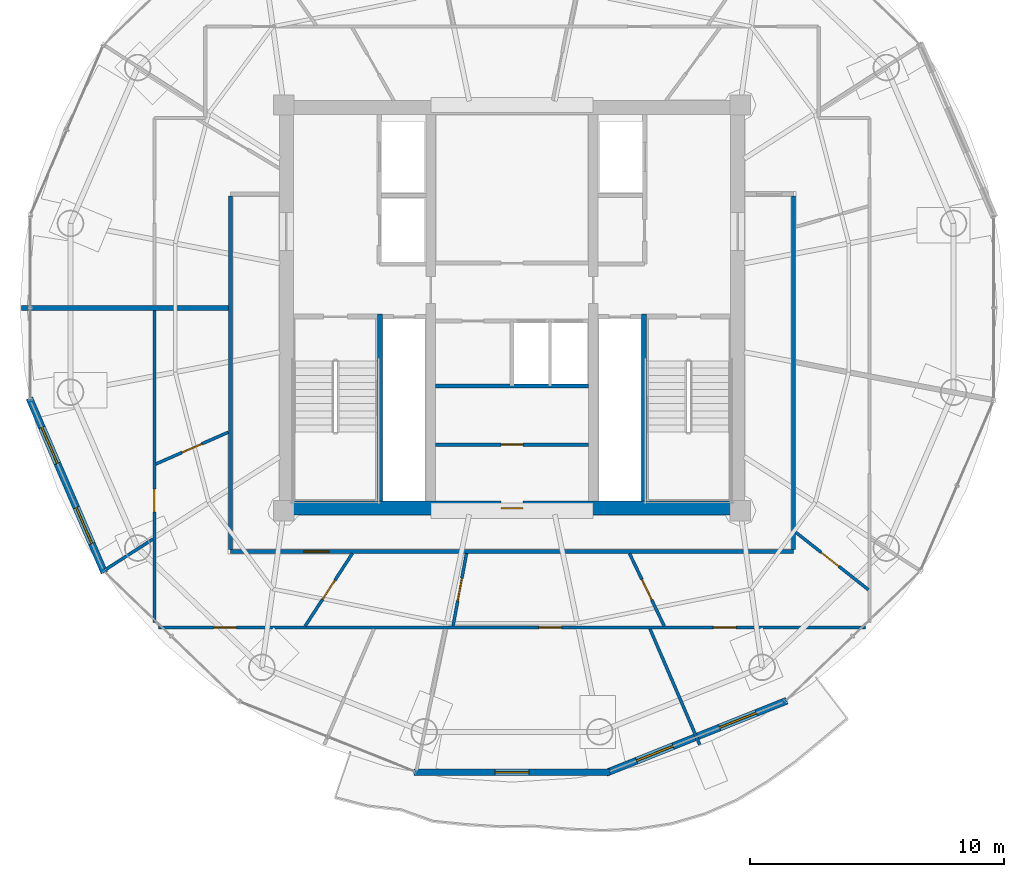
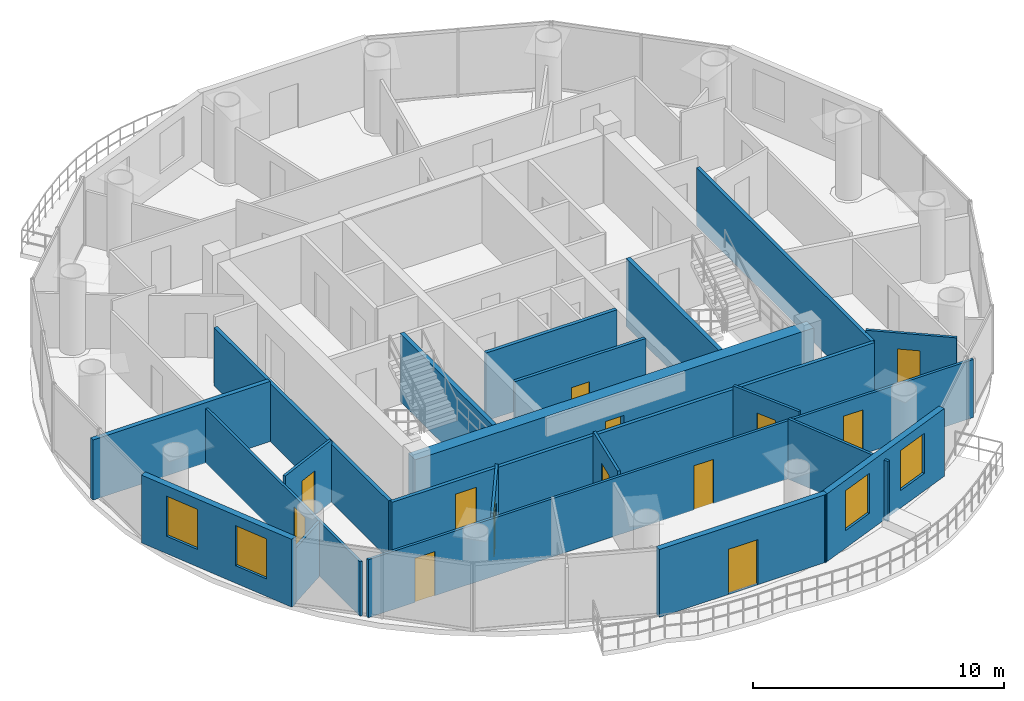
# One storey, part 17 of 23: 21 walls, 13 doors, 4 windows, 17 openings.
"""IFC4 building model written with IfcOpenShell, lengths in metres."""

from ifc_helpers import new_model, si_unit, direction, frame, frame_2d, origin, place, context, subcontext, project, spatial, rectangle, extrude, source, transform, mapped, material, layer, layer_set, type_object, element, fill, save


model = new_model("IFC4")

# Units and contexts
model_context = context("Model", 3, precision=1e-05, world=origin(), true_north=direction((-0.2419218956, 0.970295726276)))
body_context = subcontext(model_context, "Body", "Model", "MODEL_VIEW")
ifc_project = project(units=[si_unit("LENGTHUNIT", "METRE"), si_unit("AREAUNIT", "SQUARE_METRE"), si_unit("VOLUMEUNIT", "CUBIC_METRE"), si_unit("PLANEANGLEUNIT", "RADIAN"), si_unit("MASSUNIT", "GRAM", prefix="KILO")], contexts=[model_context])

# Site, building, storey
site_placement = place(None, origin())
site = spatial("IfcSite", under=ifc_project, at=site_placement, CompositionType="ELEMENT")
building_placement = place(site_placement, origin())
building = spatial("IfcBuilding", under=site, at=building_placement, Name="Cobrevalo Terracotta Tower", CompositionType="ELEMENT")
storey_placement = place(building_placement, frame((0.0, 0.0, 296.949951171875)))
storey = spatial("IfcBuildingStorey", under=building, at=storey_placement, Name="L78", CompositionType="ELEMENT", Elevation=296.949951171875)

# Wall, opening, door
ifc_material_1 = material(Name="Concrete C50", Category="concrete")
ifc_layer_1 = layer(ifc_material_1, 0.550048828125)
ifc_layer_set_1 = layer_set([ifc_layer_1], Name="Concrete C50")
wall_type_1 = type_object("IfcWallType", Name="Core shear wall 550 mm Concrete C50", PredefinedType="SHEAR", material=ifc_layer_set_1)
wall_1_placement = place(storey_placement, frame((28.824951171875, 18.89990234375, 0.0), z_axis=(0.0, 0.0, 1.0), x_axis=(1.0, 0.0, 0.0)))
wall_1 = element("IfcWall", 1, at=wall_1_placement, inside=storey, type_object=wall_type_1, Name="L78 south core shear wall", PredefinedType="SHEAR", context=body_context, shape_type="SweptSolid", body=[
    extrude(rectangle(XDim=18.35009765625, YDim=0.550048828125, at=frame_2d((9.175048828125, 0.0))), origin(), (0.0, 0.0, 1.0), 3.300048828125),
])
opening_1_placement = place(wall_1_placement, frame((8.75, 0.0, 0.0)))
opening_1 = element("IfcOpeningElement", 2, at=opening_1_placement, cuts=wall_1, Name="Opening ID-22", PredefinedType="OPENING", context=body_context, shape_type="SweptSolid", body=[
    extrude(rectangle(XDim=0.85009765625, YDim=2.10009765625, at=frame_2d((0.425048828125, 1.050048828125))), frame((0.0, 0.28515625, 0.0), z_axis=(0.0, -1.0, 0.0), x_axis=(1.0, 0.0, 0.0)), (0.0, 0.0, 1.0), 0.570068359375),
])
ifc_material_2 = material(Name="Powder-coated steel", Category="steel")
door_type_1 = type_object("IfcDoorType", Name="Riser shaft & meter closet fire access door 850x2100 EI 60", OperationType="NOTDEFINED", PredefinedType="DOOR", material=ifc_material_2)
shared_shape_1 = source(origin(), body_context, "Body", "SweptSolid", [
    extrude(rectangle(XDim=0.85009765625, YDim=2.10009765625, at=frame_2d((0.425048828125, 1.050048828125))), frame((0.0, 0.02490234375, 0.0), z_axis=(0.0, -1.0, 0.0), x_axis=(1.0, 0.0, 0.0)), (0.0, 0.0, 1.0), 0.050048828125),
])
door_1_placement = place(opening_1_placement, origin())
door_1 = element("IfcDoor", 3, at=door_1_placement, inside=storey, type_object=door_type_1, Name="L78 core south plant door Smoke Extract Fan Plant", OperationType="SINGLE_SWING_RIGHT", OverallHeight=2.10009765625, OverallWidth=0.85009765625, PredefinedType="DOOR", context=body_context, shape_type="MappedRepresentation", body=[
    mapped(shared_shape_1, transform((0.0, 0.0, 0.0), scale=1.0)),
])
fill(opening_1, door_1)

# Wall
ifc_material_3 = material(Name="Gypsum board on steel stud", Category="steel")
ifc_layer_2 = layer(ifc_material_3, 0.159912109375)
ifc_layer_set_2 = layer_set([ifc_layer_2], Name="Gypsum board on steel stud")
wall_type_2 = type_object("IfcWallType", Name="Fire-rated corridor acoustic partition wall 160 mm", PredefinedType="PARTITIONING", material=ifc_layer_set_2)
wall_2_placement = place(storey_placement, frame((34.989990234375, 23.719970703125, 0.0), z_axis=(0.0, 0.0, 1.0), x_axis=(1.0, 0.0, 0.0)))
element("IfcWall", 4, at=wall_2_placement, inside=storey, type_object=wall_type_2, Name="L78 interior partition IW-L78-MB-S", PredefinedType="PARTITIONING", context=body_context, shape_type="SweptSolid", body=[
    extrude(rectangle(XDim=6.02001953125, YDim=0.159912109375, at=frame_2d((3.010009765625, 0.0))), origin(), (0.0, 0.0, 1.0), 3.300048828125),
])

# Wall, opening, door
wall_3_placement = place(storey_placement, frame((26.89501953125, 17.195068359375, 0.0), z_axis=(0.0, 0.0, 1.0), x_axis=(1.0, 0.0, 0.0)))
wall_3 = element("IfcWall", 5, at=wall_3_placement, inside=storey, type_object=wall_type_2, Name="L78 interior partition IW-L78-COR-S", PredefinedType="PARTITIONING", context=body_context, shape_type="SweptSolid", body=[
    extrude(rectangle(XDim=22.2099609375, YDim=0.159912109375, at=frame_2d((11.10498046875, 0.0))), origin(), (0.0, 0.0, 1.0), 2.824951171875),
])
opening_2_placement = place(wall_3_placement, frame((2.90234375, 0.0, 0.0)))
opening_2 = element("IfcOpeningElement", 6, at=opening_2_placement, cuts=wall_3, Name="Opening ID-05", PredefinedType="OPENING", context=body_context, shape_type="SweptSolid", body=[
    extrude(rectangle(XDim=0.97998046875, YDim=2.199951171875, at=frame_2d((0.489990234375, 1.10009765625))), frame((0.0, 0.08984375, 0.0), z_axis=(0.0, -1.0, 0.0), x_axis=(1.0, 0.0, 0.0)), (0.0, 0.0, 1.0), 0.179931640625),
])
ifc_material_4 = material(Name="Solid hardwood timber", Category="wood")
door_type_2 = type_object("IfcDoorType", Name="Residence entrance fire-rated acoustic timber door 980x2200 EI 60", OperationType="NOTDEFINED", PredefinedType="DOOR", material=ifc_material_4)
shared_shape_2 = source(origin(), body_context, "Body", "SweptSolid", [
    extrude(rectangle(XDim=0.97998046875, YDim=2.199951171875, at=frame_2d((0.489990234375, 1.10009765625))), frame((0.0, 0.02490234375, 0.0), z_axis=(0.0, -1.0, 0.0), x_axis=(1.0, 0.0, 0.0)), (0.0, 0.0, 1.0), 0.050048828125),
])
door_2_placement = place(opening_2_placement, origin())
door_2 = element("IfcDoor", 7, at=door_2_placement, inside=storey, type_object=door_type_2, Name="Flat L78B fire-rated apartment entrance door", OperationType="SINGLE_SWING_LEFT", OverallHeight=2.199951171875, OverallWidth=0.97998046875, PredefinedType="DOOR", context=body_context, shape_type="MappedRepresentation", body=[
    mapped(shared_shape_2, transform((0.0, 0.0, 0.0), scale=1.0)),
])
fill(opening_2, door_2)

# Walls
for number, where, z_axis, x_axis, name in (
    (8, (26.89501953125, 17.27490234375, 0.0), (0.0, 0.0, 1.0), (0.0, 1.0, 0.0), "L78 interior partition IW-L78-COR-W"),
    (9, (49.10498046875, 17.27490234375, 0.0), (0.0, 0.0, 1.0), (0.0, 1.0, 0.0), "L78 interior partition IW-L78-COR-E"),
):
    element("IfcWall", number, at=place(storey_placement, frame(where, z_axis=z_axis, x_axis=x_axis)), inside=storey, type_object=wall_type_2, Name=name, PredefinedType="PARTITIONING", context=body_context, shape_type="SweptSolid", body=[
        extrude(rectangle(XDim=13.925048828125, YDim=0.159912109375, at=frame_2d((6.96240234375, 0.0))), origin(), (0.0, 0.0, 1.0), 2.824951171875),
    ])
ifc_material_5 = material(Name="Autoclaved aerated concrete block", Category="concrete")
ifc_layer_3 = layer(ifc_material_5, 0.199951171875)
ifc_layer_set_3 = layer_set([ifc_layer_3], Name="Autoclaved aerated concrete block")
wall_type_3 = type_object("IfcWallType", Name="Fire-rated stair, shaft & demising masonry wall 200 mm", PredefinedType="PARTITIONING", material=ifc_layer_set_3)
wall_4_placement = place(storey_placement, frame((26.81494140625, 26.800048828125, 0.0), z_axis=(0.0, 0.0, 1.0), x_axis=(-1.0, 0.0, 0.0)))
element("IfcWall", 10, at=wall_4_placement, inside=storey, type_object=wall_type_3, Name="L78 interior partition IW-L78-DEM-2", PredefinedType="PARTITIONING", context=body_context, shape_type="SweptSolid", body=[
    extrude(rectangle(XDim=8.155029296875, YDim=0.199951171875, at=frame_2d((4.07763671875, 0.0))), origin(), (0.0, 0.0, 1.0), 2.93115234375),
])

# Wall, openings, windows
ifc_layer_4 = layer(ifc_material_5, 0.280029296875)
ifc_layer_set_4 = layer_set([ifc_layer_4], Name="Autoclaved aerated concrete block")
wall_type_4 = type_object("IfcWallType", Name="Insulated tower spandrel & pier wall 280 mm with terracotta rainscreen", PredefinedType="SOLIDWALL", material=ifc_layer_set_4)
wall_5_placement = place(storey_placement, frame((18.970703125, 23.231201171875, 0.0), z_axis=(0.0, 0.0, 1.0), x_axis=(0.394816612978, -0.918759948037, 0.0)))
wall_5 = element("IfcWall", 11, at=wall_5_placement, inside=storey, type_object=wall_type_4, Name="L78 terracotta rainscreen pier wall S09", PredefinedType="SOLIDWALL", context=body_context, shape_type="SweptSolid", body=[
    extrude(rectangle(XDim=7.4853515625, YDim=0.280029296875, at=frame_2d((3.74267578125, 0.0))), origin(), (0.0, 0.0, 1.0), 3.300048828125),
])
opening_3_placement = place(wall_5_placement, frame((1.24609375, 0.0, 0.85009765625)))
opening_3 = element("IfcOpeningElement", 12, at=opening_3_placement, cuts=wall_5, Name="Opening WN-12", PredefinedType="OPENING", context=body_context, shape_type="SweptSolid", body=[
    extrude(rectangle(XDim=1.550048828125, YDim=1.949951171875, at=frame_2d((0.77490234375, 0.97509765625))), frame((0.0, 0.14990234375, 0.0), z_axis=(0.0, -1.0, 0.0), x_axis=(1.0, 0.0, 0.0)), (0.0, 0.0, 1.0), 0.300048828125),
])
opening_4_placement = place(wall_5_placement, frame((4.689208984375, 0.0, 0.85009765625)))
opening_4 = element("IfcOpeningElement", 13, at=opening_4_placement, cuts=wall_5, Name="Opening WN-12", PredefinedType="OPENING", context=body_context, shape_type="SweptSolid", body=[
    extrude(rectangle(XDim=1.550048828125, YDim=1.949951171875, at=frame_2d((0.77490234375, 0.97509765625))), frame((0.0, 0.14990234375, 0.0), z_axis=(0.0, -1.0, 0.0), x_axis=(1.0, 0.0, 0.0)), (0.0, 0.0, 1.0), 0.300048828125),
])
ifc_material_6 = material(Name="Solar-control low-E double glazing", Category="glass")
window_type = type_object("IfcWindowType", Name="Solar-control low-E aluminium window 1550x1950", PartitioningType="SINGLE_PANEL", PredefinedType="WINDOW", material=ifc_material_6)
shared_shape_3 = source(origin(), body_context, "Body", "SweptSolid", [
    extrude(rectangle(XDim=1.550048828125, YDim=1.949951171875, at=frame_2d((0.77490234375, 0.97509765625))), frame((0.0, 0.030029296875, 0.0), z_axis=(0.0, -1.0, 0.0), x_axis=(1.0, 0.0, 0.0)), (0.0, 0.0, 1.0), 0.06005859375),
])
window_1_placement = place(opening_3_placement, origin())
window_1 = element("IfcWindow", 14, at=window_1_placement, inside=storey, type_object=window_type, Name="L78 suite window S09A", OverallHeight=1.949951171875, OverallWidth=1.550048828125, PartitioningType="SINGLE_PANEL", PredefinedType="WINDOW", context=body_context, shape_type="MappedRepresentation", body=[
    mapped(shared_shape_3, transform((0.0, 0.0, 0.0), scale=1.0)),
])
fill(opening_3, window_1)
window_2_placement = place(opening_4_placement, origin())
window_2 = element("IfcWindow", 15, at=window_2_placement, inside=storey, type_object=window_type, Name="L78 suite window S09B", OverallHeight=1.949951171875, OverallWidth=1.550048828125, PartitioningType="SINGLE_PANEL", PredefinedType="WINDOW", context=body_context, shape_type="MappedRepresentation", body=[
    mapped(shared_shape_3, transform((0.0, 0.0, 0.0), scale=1.0)),
])
fill(opening_4, window_2)

wall_6_placement = place(storey_placement, frame((41.70458984375, 8.458984375, 0.0), z_axis=(0.0, 0.0, 1.0), x_axis=(0.92871332341, 0.370798547626, 0.0)))
wall_6 = element("IfcWall", 16, at=wall_6_placement, inside=storey, type_object=wall_type_4, Name="L78 terracotta rainscreen pier wall S13", PredefinedType="SOLIDWALL", context=body_context, shape_type="SweptSolid", body=[
    extrude(rectangle(XDim=7.678466796875, YDim=0.280029296875, at=frame_2d((3.83935546875, 0.0))), origin(), (0.0, 0.0, 1.0), 3.300048828125),
])
opening_5_placement = place(wall_6_placement, frame((1.298095703125, 0.0, 0.85009765625)))
opening_5 = element("IfcOpeningElement", 17, at=opening_5_placement, cuts=wall_6, Name="Opening WN-12", PredefinedType="OPENING", context=body_context, shape_type="SweptSolid", body=[
    extrude(rectangle(XDim=1.550048828125, YDim=1.949951171875, at=frame_2d((0.77490234375, 0.97509765625))), frame((0.0, 0.14990234375, 0.0), z_axis=(0.0, -1.0, 0.0), x_axis=(1.0, 0.0, 0.0)), (0.0, 0.0, 1.0), 0.300048828125),
])
opening_6_placement = place(wall_6_placement, frame((4.830078125, 0.0, 0.85009765625)))
opening_6 = element("IfcOpeningElement", 18, at=opening_6_placement, cuts=wall_6, Name="Opening WN-12", PredefinedType="OPENING", context=body_context, shape_type="SweptSolid", body=[
    extrude(rectangle(XDim=1.550048828125, YDim=1.949951171875, at=frame_2d((0.77490234375, 0.97509765625))), frame((0.0, 0.14990234375, 0.0), z_axis=(0.0, -1.0, 0.0), x_axis=(1.0, 0.0, 0.0)), (0.0, 0.0, 1.0), 0.300048828125),
])
window_3_placement = place(opening_5_placement, origin())
window_3 = element("IfcWindow", 19, at=window_3_placement, inside=storey, type_object=window_type, Name="L78 suite window S13A", OverallHeight=1.949951171875, OverallWidth=1.550048828125, PartitioningType="SINGLE_PANEL", PredefinedType="WINDOW", context=body_context, shape_type="MappedRepresentation", body=[
    mapped(shared_shape_3, transform((0.0, 0.0, 0.0), scale=1.0)),
])
fill(opening_5, window_3)
window_4_placement = place(opening_6_placement, origin())
window_4 = element("IfcWindow", 20, at=window_4_placement, inside=storey, type_object=window_type, Name="L78 suite window S13B", OverallHeight=1.949951171875, OverallWidth=1.550048828125, PartitioningType="SINGLE_PANEL", PredefinedType="WINDOW", context=body_context, shape_type="MappedRepresentation", body=[
    mapped(shared_shape_3, transform((0.0, 0.0, 0.0), scale=1.0)),
])
fill(opening_6, window_4)

# Wall, opening, door
ifc_layer_5 = layer(ifc_material_5, 0.139892578125)
ifc_layer_set_5 = layer_set([ifc_layer_5], Name="Autoclaved aerated concrete block")
wall_type_5 = type_object("IfcWallType", Name="Moisture-resistant wet-room & core service partition 140 mm", PredefinedType="PARTITIONING", material=ifc_layer_set_5)
wall_7_placement = place(storey_placement, frame((34.989990234375, 21.407470703125, 0.0), z_axis=(0.0, 0.0, 1.0), x_axis=(1.0, 0.0, 0.0)))
wall_7 = element("IfcWall", 21, at=wall_7_placement, inside=storey, type_object=wall_type_5, Name="L78 interior partition IW-L78-KVS-H", PredefinedType="PARTITIONING", context=body_context, shape_type="SweptSolid", body=[
    extrude(rectangle(XDim=6.02001953125, YDim=0.139892578125, at=frame_2d((3.010009765625, 0.0))), origin(), (0.0, 0.0, 1.0), 3.300048828125),
])
opening_7_placement = place(wall_7_placement, frame((2.5849609375, 0.0, 0.0)))
opening_7 = element("IfcOpeningElement", 22, at=opening_7_placement, cuts=wall_7, Name="Opening ID-22", PredefinedType="OPENING", context=body_context, shape_type="SweptSolid", body=[
    extrude(rectangle(XDim=0.85009765625, YDim=2.10009765625, at=frame_2d((0.425048828125, 1.050048828125))), frame((0.0, 0.080078125, 0.0), z_axis=(0.0, -1.0, 0.0), x_axis=(1.0, 0.0, 0.0)), (0.0, 0.0, 1.0), 0.159912109375),
])
door_3_placement = place(opening_7_placement, origin())
door_3 = element("IfcDoor", 23, at=door_3_placement, inside=storey, type_object=door_type_1, Name="L78 core manifold inner door", OperationType="SINGLE_SWING_LEFT", OverallHeight=2.10009765625, OverallWidth=0.85009765625, PredefinedType="DOOR", context=body_context, shape_type="MappedRepresentation", body=[
    mapped(shared_shape_1, transform((0.0, 0.0, 0.0), scale=1.0)),
])
fill(opening_7, door_3)

ifc_layer_6 = layer(ifc_material_5, 0.260009765625)
ifc_layer_set_6 = layer_set([ifc_layer_6], Name="Autoclaved aerated concrete block")
wall_type_6 = type_object("IfcWallType", Name="Recessed balcony loggia insulated exterior wall 260 mm", PredefinedType="SOLIDWALL", material=ifc_layer_set_6)
wall_8_placement = place(storey_placement, frame((34.14111328125, 8.48876953125, 0.0), z_axis=(0.0, 0.0, 1.0), x_axis=(1.0, 0.0, 0.0)))
wall_8 = element("IfcWall", 24, at=wall_8_placement, inside=storey, type_object=wall_type_6, Name="L78 balcony loggia wall S12", PredefinedType="SOLIDWALL", context=body_context, shape_type="SweptSolid", body=[
    extrude(rectangle(XDim=7.7177734375, YDim=0.260009765625, at=frame_2d((3.85888671875, 0.0))), origin(), (0.0, 0.0, 1.0), 3.300048828125),
])
opening_8_placement = place(wall_8_placement, frame((3.183837890625, 0.0, 0.0)))
opening_8 = element("IfcOpeningElement", 25, at=opening_8_placement, cuts=wall_8, Name="Opening ED-05", PredefinedType="OPENING", context=body_context, shape_type="SweptSolid", body=[
    extrude(rectangle(XDim=1.35009765625, YDim=2.199951171875, at=frame_2d((0.675048828125, 1.10009765625))), frame((0.0, 0.14013671875, 0.0), z_axis=(0.0, -1.0, 0.0), x_axis=(1.0, 0.0, 0.0)), (0.0, 0.0, 1.0), 0.280029296875),
])
ifc_material_7 = material(Name="Anodized aluminium and laminated glass", Category="aluminium")
door_type_3 = type_object("IfcDoorType", Name="Suite balcony acoustic glazed terrace door 1350x2200", OperationType="NOTDEFINED", PredefinedType="DOOR", material=ifc_material_7)
shared_shape_4 = source(origin(), body_context, "Body", "SweptSolid", [
    extrude(rectangle(XDim=1.35009765625, YDim=2.199951171875, at=frame_2d((0.675048828125, 1.10009765625))), frame((0.0, 0.02490234375, 0.0), z_axis=(0.0, -1.0, 0.0), x_axis=(1.0, 0.0, 0.0)), (0.0, 0.0, 1.0), 0.050048828125),
])
door_4_placement = place(opening_8_placement, frame((1.35009765625, 0.0, 0.0), z_axis=(0.0, 0.0, 1.0), x_axis=(-1.0, 0.0, 0.0)))
door_4 = element("IfcDoor", 26, at=door_4_placement, inside=storey, type_object=door_type_3, Name="L78 glazed balcony terrace door 2", OperationType="SINGLE_SWING_RIGHT", OverallHeight=2.199951171875, OverallWidth=1.35009765625, PredefinedType="DOOR", context=body_context, shape_type="MappedRepresentation", body=[
    mapped(shared_shape_4, transform((0.0, 0.0, 0.0), scale=1.0)),
])
fill(opening_8, door_4)

# Wall, openings, doors
ifc_layer_7 = layer(ifc_material_3, 0.1201171875)
ifc_layer_set_7 = layer_set([ifc_layer_7], Name="Gypsum board on steel stud")
wall_type_7 = type_object("IfcWallType", Name="Residential internal acoustic stud partition 120 mm", PredefinedType="PARTITIONING", material=ifc_layer_set_7)
wall_9_placement = place(storey_placement, frame((51.92919921875, 14.195068359375, 0.0), z_axis=(0.0, 0.0, 1.0), x_axis=(-1.0, 0.0, 0.0)))
wall_9 = element("IfcWall", 27, at=wall_9_placement, inside=storey, type_object=wall_type_7, Name="L78 interior partition IW-L78-U2-RING0_0", PredefinedType="PARTITIONING", context=body_context, shape_type="SweptSolid", body=[
    extrude(rectangle(XDim=27.8583984375, YDim=0.1201171875, at=frame_2d((13.92919921875, 0.0))), origin(), (0.0, 0.0, 1.0), 2.824951171875),
])
opening_9_placement = place(wall_9_placement, frame((24.796630859375, 0.0, 0.0)))
opening_9 = element("IfcOpeningElement", 28, at=opening_9_placement, cuts=wall_9, Name="Opening ID-12", PredefinedType="OPENING", context=body_context, shape_type="SweptSolid", body=[
    extrude(rectangle(XDim=0.89990234375, YDim=2.14990234375, at=frame_2d((0.449951171875, 1.074951171875))), frame((0.0, 0.070068359375, 0.0), z_axis=(0.0, -1.0, 0.0), x_axis=(1.0, 0.0, 0.0)), (0.0, 0.0, 1.0), 0.14013671875),
])
opening_10_placement = place(wall_9_placement, frame((11.9677734375, 0.0, 0.0)))
opening_10 = element("IfcOpeningElement", 29, at=opening_10_placement, cuts=wall_9, Name="Opening ID-12", PredefinedType="OPENING", context=body_context, shape_type="SweptSolid", body=[
    extrude(rectangle(XDim=0.89990234375, YDim=2.14990234375, at=frame_2d((0.449951171875, 1.074951171875))), frame((0.0, 0.070068359375, 0.0), z_axis=(0.0, -1.0, 0.0), x_axis=(1.0, 0.0, 0.0)), (0.0, 0.0, 1.0), 0.14013671875),
])
opening_11_placement = place(wall_9_placement, frame((5.09228515625, 0.0, 0.0)))
opening_11 = element("IfcOpeningElement", 30, at=opening_11_placement, cuts=wall_9, Name="Opening ID-12", PredefinedType="OPENING", context=body_context, shape_type="SweptSolid", body=[
    extrude(rectangle(XDim=0.89990234375, YDim=2.14990234375, at=frame_2d((0.449951171875, 1.074951171875))), frame((0.0, 0.070068359375, 0.0), z_axis=(0.0, -1.0, 0.0), x_axis=(1.0, 0.0, 0.0)), (0.0, 0.0, 1.0), 0.14013671875),
])
ifc_material_8 = material(Name="Engineered timber", Category="wood")
door_type_4 = type_object("IfcDoorType", Name="Internal residence & suite timber door 900x2150", OperationType="NOTDEFINED", PredefinedType="DOOR", material=ifc_material_8)
shared_shape_5 = source(origin(), body_context, "Body", "SweptSolid", [
    extrude(rectangle(XDim=0.89990234375, YDim=2.14990234375, at=frame_2d((0.449951171875, 1.074951171875))), frame((0.0, 0.02490234375, 0.0), z_axis=(0.0, -1.0, 0.0), x_axis=(1.0, 0.0, 0.0)), (0.0, 0.0, 1.0), 0.050048828125),
])
door_5_placement = place(opening_9_placement, origin())
door_5 = element("IfcDoor", 31, at=door_5_placement, inside=storey, type_object=door_type_4, Name="Flat L78B Master Bedroom internal door", OperationType="SINGLE_SWING_RIGHT", OverallHeight=2.14990234375, OverallWidth=0.89990234375, PredefinedType="DOOR", context=body_context, shape_type="MappedRepresentation", body=[
    mapped(shared_shape_5, transform((0.0, 0.0, 0.0), scale=1.0)),
])
fill(opening_9, door_5)
door_6_placement = place(opening_10_placement, origin())
door_6 = element("IfcDoor", 32, at=door_6_placement, inside=storey, type_object=door_type_4, Name="Flat L78B Principal Guest Bedroom internal door", OperationType="SINGLE_SWING_RIGHT", OverallHeight=2.14990234375, OverallWidth=0.89990234375, PredefinedType="DOOR", context=body_context, shape_type="MappedRepresentation", body=[
    mapped(shared_shape_5, transform((0.0, 0.0, 0.0), scale=1.0)),
])
fill(opening_10, door_6)
door_7_placement = place(opening_11_placement, origin())
door_7 = element("IfcDoor", 33, at=door_7_placement, inside=storey, type_object=door_type_4, Name="Flat L78B South Bedroom internal door", OperationType="SINGLE_SWING_LEFT", OverallHeight=2.14990234375, OverallWidth=0.89990234375, PredefinedType="DOOR", context=body_context, shape_type="MappedRepresentation", body=[
    mapped(shared_shape_5, transform((0.0, 0.0, 0.0), scale=1.0)),
])
fill(opening_11, door_7)

# Wall, opening, door
wall_10_placement = place(storey_placement, frame((23.89501953125, 14.38818359375, 0.0), z_axis=(0.0, 0.0, 1.0), x_axis=(0.0, 1.0, 0.0)))
wall_10 = element("IfcWall", 34, at=wall_10_placement, inside=storey, type_object=wall_type_7, Name="L78 interior partition IW-L78-U2-RING1_0", PredefinedType="PARTITIONING", context=body_context, shape_type="SweptSolid", body=[
    extrude(rectangle(XDim=12.309814453125, YDim=0.1201171875, at=frame_2d((6.15478515625, 0.0))), origin(), (0.0, 0.0, 1.0), 2.650146484375),
])
opening_12_placement = place(wall_10_placement, frame((4.366943359375, 0.0, 0.0)))
opening_12 = element("IfcOpeningElement", 35, at=opening_12_placement, cuts=wall_10, Name="Opening ID-12", PredefinedType="OPENING", context=body_context, shape_type="SweptSolid", body=[
    extrude(rectangle(XDim=0.89990234375, YDim=2.14990234375, at=frame_2d((0.449951171875, 1.074951171875))), frame((0.0, 0.070068359375, 0.0), z_axis=(0.0, -1.0, 0.0), x_axis=(1.0, 0.0, 0.0)), (0.0, 0.0, 1.0), 0.14013671875),
])
door_8_placement = place(opening_12_placement, origin())
door_8 = element("IfcDoor", 36, at=door_8_placement, inside=storey, type_object=door_type_4, Name="Flat L78B Living and Dining Room internal door", OperationType="SINGLE_SWING_LEFT", OverallHeight=2.14990234375, OverallWidth=0.89990234375, PredefinedType="DOOR", context=body_context, shape_type="MappedRepresentation", body=[
    mapped(shared_shape_5, transform((0.0, 0.0, 0.0), scale=1.0)),
])
fill(opening_12, door_8)

# Walls
wall_11_placement = place(storey_placement, frame((23.8427734375, 17.681884765625, 0.0), z_axis=(0.0, 0.0, 1.0), x_axis=(-0.840690872836, -0.541515333421, 0.0)))
element("IfcWall", 37, at=wall_11_placement, inside=storey, type_object=wall_type_7, Name="L78 interior partition IW-L78-U2-ORAD1", PredefinedType="PARTITIONING", context=body_context, shape_type="SweptSolid", body=[
    extrude(rectangle(XDim=2.24658203125, YDim=0.1201171875, at=frame_2d((1.123291015625, 0.0))), origin(), (0.0, 0.0, 1.0), 2.650146484375),
])
wall_12_placement = place(storey_placement, frame((43.441162109375, 14.137939453125, 0.0), z_axis=(0.0, 0.0, 1.0), x_axis=(0.394786072864, -0.918773071369, 0.0)))
element("IfcWall", 38, at=wall_12_placement, inside=storey, type_object=wall_type_7, Name="L78 interior partition IW-L78-U2-ORAD4", PredefinedType="PARTITIONING", context=body_context, shape_type="SweptSolid", body=[
    extrude(rectangle(XDim=4.962158203125, YDim=0.1201171875, at=frame_2d((2.48095703125, 0.0))), origin(), (0.0, 0.0, 1.0), 2.93115234375),
])

# Wall, opening, door
wall_13_placement = place(storey_placement, frame((26.81494140625, 21.893798828125, 0.0), z_axis=(0.0, 0.0, 1.0), x_axis=(-0.915755452884, -0.401736170284, 0.0)))
wall_13 = element("IfcWall", 39, at=wall_13_placement, inside=storey, type_object=wall_type_7, Name="L78 interior partition IW-L78-U2-IRAD1", PredefinedType="PARTITIONING", context=body_context, shape_type="SweptSolid", body=[
    extrude(rectangle(XDim=3.126708984375, YDim=0.1201171875, at=frame_2d((1.5634765625, 0.0))), origin(), (0.0, 0.0, 1.0), 3.01904296875),
])
opening_13_placement = place(wall_13_placement, frame((1.13330078125, 0.0, 0.0)))
opening_13 = element("IfcOpeningElement", 40, at=opening_13_placement, cuts=wall_13, Name="Opening ID-19", PredefinedType="OPENING", context=body_context, shape_type="SweptSolid", body=[
    extrude(rectangle(XDim=0.860107421875, YDim=2.14990234375, at=frame_2d((0.43017578125, 1.074951171875))), frame((0.0, 0.070068359375, 0.0), z_axis=(0.0, -1.0, 0.0), x_axis=(1.0, 0.0, 0.0)), (0.0, 0.0, 1.0), 0.14013671875),
])
ifc_material_9 = material(Name="Moisture-sealed timber", Category="wood")
door_type_5 = type_object("IfcDoorType", Name="Suite bathroom internal timber door 860x2150", OperationType="NOTDEFINED", PredefinedType="DOOR", material=ifc_material_9)
shared_shape_6 = source(origin(), body_context, "Body", "SweptSolid", [
    extrude(rectangle(XDim=0.860107421875, YDim=2.14990234375, at=frame_2d((0.43017578125, 1.074951171875))), frame((0.0, 0.02490234375, 0.0), z_axis=(0.0, -1.0, 0.0), x_axis=(1.0, 0.0, 0.0)), (0.0, 0.0, 1.0), 0.050048828125),
])
door_9_placement = place(opening_13_placement, frame((0.860107421875, 0.0, 0.0), z_axis=(0.0, 0.0, 1.0), x_axis=(-1.0, 0.0, 0.0)))
door_9 = element("IfcDoor", 41, at=door_9_placement, inside=storey, type_object=door_type_5, Name="Flat L78B Primary Bathroom internal door", OperationType="SINGLE_SWING_RIGHT", OverallHeight=2.14990234375, OverallWidth=0.860107421875, PredefinedType="DOOR", context=body_context, shape_type="MappedRepresentation", body=[
    mapped(shared_shape_6, transform((0.0, 0.0, 0.0), scale=1.0)),
])
fill(opening_13, door_9)

wall_14_placement = place(storey_placement, frame((31.706298828125, 17.114990234375, 0.0), z_axis=(0.0, 0.0, 1.0), x_axis=(-0.544910571015, -0.838494167896, 0.0)))
wall_14 = element("IfcWall", 42, at=wall_14_placement, inside=storey, type_object=wall_type_7, Name="L78 interior partition IW-L78-U2-IRAD2", PredefinedType="PARTITIONING", context=body_context, shape_type="SweptSolid", body=[
    extrude(rectangle(XDim=3.42041015625, YDim=0.1201171875, at=frame_2d((1.710205078125, 0.0))), origin(), (0.0, 0.0, 1.0), 3.01904296875),
])
opening_14_placement = place(wall_14_placement, frame((1.26025390625, 0.0, 0.0)))
opening_14 = element("IfcOpeningElement", 43, at=opening_14_placement, cuts=wall_14, Name="Opening ID-12", PredefinedType="OPENING", context=body_context, shape_type="SweptSolid", body=[
    extrude(rectangle(XDim=0.89990234375, YDim=2.14990234375, at=frame_2d((0.449951171875, 1.074951171875))), frame((0.0, 0.070068359375, 0.0), z_axis=(0.0, -1.0, 0.0), x_axis=(1.0, 0.0, 0.0)), (0.0, 0.0, 1.0), 0.14013671875),
])
door_10_placement = place(opening_14_placement, origin())
door_10 = element("IfcDoor", 44, at=door_10_placement, inside=storey, type_object=door_type_4, Name="Flat L78B Kitchen internal door", OperationType="SINGLE_SWING_RIGHT", OverallHeight=2.14990234375, OverallWidth=0.89990234375, PredefinedType="DOOR", context=body_context, shape_type="MappedRepresentation", body=[
    mapped(shared_shape_5, transform((0.0, 0.0, 0.0), scale=1.0)),
])
fill(opening_14, door_10)

wall_15_placement = place(storey_placement, frame((36.205810546875, 17.114990234375, 0.0), z_axis=(0.0, 0.0, 1.0), x_axis=(-0.182194488266, -0.983262512479, 0.0)))
wall_15 = element("IfcWall", 45, at=wall_15_placement, inside=storey, type_object=wall_type_7, Name="L78 interior partition IW-L78-U2-IRAD3", PredefinedType="PARTITIONING", context=body_context, shape_type="SweptSolid", body=[
    extrude(rectangle(XDim=2.90771484375, YDim=0.1201171875, at=frame_2d((1.453857421875, 0.0))), origin(), (0.0, 0.0, 1.0), 3.01904296875),
])
opening_15_placement = place(wall_15_placement, frame((1.00390625, 0.0, 0.0)))
opening_15 = element("IfcOpeningElement", 46, at=opening_15_placement, cuts=wall_15, Name="Opening ID-12", PredefinedType="OPENING", context=body_context, shape_type="SweptSolid", body=[
    extrude(rectangle(XDim=0.89990234375, YDim=2.14990234375, at=frame_2d((0.449951171875, 1.074951171875))), frame((0.0, 0.070068359375, 0.0), z_axis=(0.0, -1.0, 0.0), x_axis=(1.0, 0.0, 0.0)), (0.0, 0.0, 1.0), 0.14013671875),
])
door_11_placement = place(opening_15_placement, origin())
door_11 = element("IfcDoor", 47, at=door_11_placement, inside=storey, type_object=door_type_4, Name="Flat L78B Utility Closet internal door", OperationType="SINGLE_SWING_LEFT", OverallHeight=2.14990234375, OverallWidth=0.89990234375, PredefinedType="DOOR", context=body_context, shape_type="MappedRepresentation", body=[
    mapped(shared_shape_5, transform((0.0, 0.0, 0.0), scale=1.0)),
])
fill(opening_15, door_11)

wall_16_placement = place(storey_placement, frame((42.632080078125, 17.114990234375, 0.0), z_axis=(0.0, 0.0, 1.0), x_axis=(0.431425564071, -0.902148536919, 0.0)))
wall_16 = element("IfcWall", 48, at=wall_16_placement, inside=storey, type_object=wall_type_7, Name="L78 interior partition IW-L78-U2-IRAD4", PredefinedType="PARTITIONING", context=body_context, shape_type="SweptSolid", body=[
    extrude(rectangle(XDim=3.174560546875, YDim=0.1201171875, at=frame_2d((1.58740234375, 0.0))), origin(), (0.0, 0.0, 1.0), 3.01904296875),
])
opening_16_placement = place(wall_16_placement, frame((1.137451171875, 0.0, 0.0)))
opening_16 = element("IfcOpeningElement", 49, at=opening_16_placement, cuts=wall_16, Name="Opening ID-12", PredefinedType="OPENING", context=body_context, shape_type="SweptSolid", body=[
    extrude(rectangle(XDim=0.89990234375, YDim=2.14990234375, at=frame_2d((0.449951171875, 1.074951171875))), frame((0.0, 0.070068359375, 0.0), z_axis=(0.0, -1.0, 0.0), x_axis=(1.0, 0.0, 0.0)), (0.0, 0.0, 1.0), 0.14013671875),
])
door_12_placement = place(opening_16_placement, origin())
door_12 = element("IfcDoor", 50, at=door_12_placement, inside=storey, type_object=door_type_4, Name="Flat L78B Private Library Meeting Room internal door", OperationType="SINGLE_SWING_RIGHT", OverallHeight=2.14990234375, OverallWidth=0.89990234375, PredefinedType="DOOR", context=body_context, shape_type="MappedRepresentation", body=[
    mapped(shared_shape_5, transform((0.0, 0.0, 0.0), scale=1.0)),
])
fill(opening_16, door_12)

wall_17_placement = place(storey_placement, frame((49.18505859375, 17.951904296875, 0.0), z_axis=(0.0, 0.0, 1.0), x_axis=(0.784266179732, -0.620424499297, 0.0)))
wall_17 = element("IfcWall", 51, at=wall_17_placement, inside=storey, type_object=wall_type_7, Name="L78 interior partition IW-L78-U2-IRAD5", PredefinedType="PARTITIONING", context=body_context, shape_type="SweptSolid", body=[
    extrude(rectangle(XDim=3.6611328125, YDim=0.1201171875, at=frame_2d((1.83056640625, 0.0))), origin(), (0.0, 0.0, 1.0), 2.93115234375),
])
opening_17_placement = place(wall_17_placement, frame((1.27880859375, 0.0, 0.0)))
opening_17 = element("IfcOpeningElement", 52, at=opening_17_placement, cuts=wall_17, Name="Opening ID-12", PredefinedType="OPENING", context=body_context, shape_type="SweptSolid", body=[
    extrude(rectangle(XDim=0.89990234375, YDim=2.14990234375, at=frame_2d((0.449951171875, 1.074951171875))), frame((0.0, 0.070068359375, 0.0), z_axis=(0.0, -1.0, 0.0), x_axis=(1.0, 0.0, 0.0)), (0.0, 0.0, 1.0), 0.14013671875),
])
door_13_placement = place(opening_17_placement, origin())
door_13 = element("IfcDoor", 53, at=door_13_placement, inside=storey, type_object=door_type_4, Name="Flat L78B Private Cinema Lounge internal door", OperationType="SINGLE_SWING_LEFT", OverallHeight=2.14990234375, OverallWidth=0.89990234375, PredefinedType="DOOR", context=body_context, shape_type="MappedRepresentation", body=[
    mapped(shared_shape_5, transform((0.0, 0.0, 0.0), scale=1.0)),
])
fill(opening_17, door_13)

# Walls
ifc_layer_8 = layer(ifc_material_1, 0.199951171875)
ifc_layer_set_8 = layer_set([ifc_layer_8], Name="Concrete C50")
wall_type_8 = type_object("IfcWallType", Name="Structural core & podium stair-shaft RC wall 200 mm Concrete C50", PredefinedType="SOLIDWALL", material=ifc_layer_set_8)
for number, where, z_axis, x_axis, name in (
    (54, (32.794921875, 19.175048828125, 0.0), (0.0, 0.0, 1.0), (0.0, 1.0, 0.0), "L78 ST-1 east structural shaft wall"),
    (55, (43.205078125, 19.175048828125, 0.0), (0.0, 0.0, 1.0), (0.0, 1.0, 0.0), "L78 ST-2 west structural shaft wall"),
):
    element("IfcWall", number, at=place(storey_placement, frame(where, z_axis=z_axis, x_axis=x_axis)), inside=storey, type_object=wall_type_8, Name=name, PredefinedType="SOLIDWALL", context=body_context, shape_type="SweptSolid", body=[
        extrude(rectangle(XDim=7.375, YDim=0.199951171875, at=frame_2d((3.6875, 0.0))), origin(), (0.0, 0.0, 1.0), 3.300048828125),
    ])

save(model, "model.ifc")
